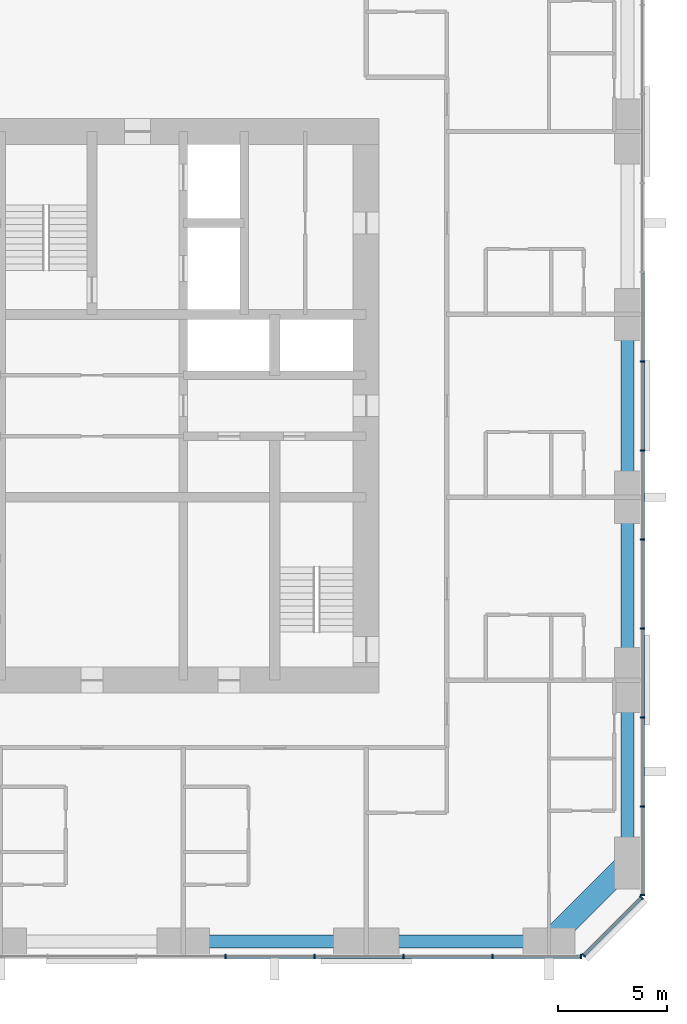
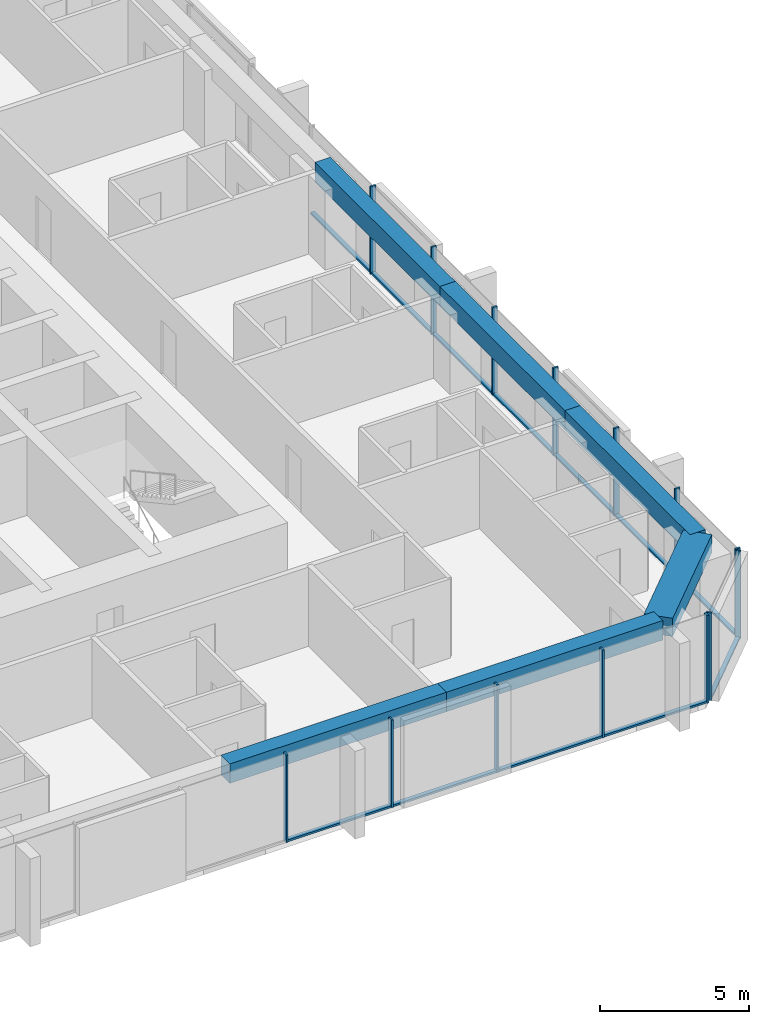
# One storey, part 4 of 13: 26 members, 6 beams, 3 elements without a shape of their own.
"""IFC4 building model written with IfcOpenShell, lengths in metres."""

from ifc_helpers import new_model, si_unit, direction, frame, origin, origin_2d, place, context, subcontext, project, spatial, rectangle, extrude, material, material_profile, profile_set, type_object, element, aggregate, save


model = new_model("IFC4")

# Units and contexts
model_context = context("Model", 3, precision=1e-05, world=origin(), true_north=direction((0.0, 1.0)))
body_context = subcontext(model_context, "Body", "Model", "MODEL_VIEW")
ifc_project = project(units=[si_unit("LENGTHUNIT", "METRE"), si_unit("AREAUNIT", "SQUARE_METRE"), si_unit("VOLUMEUNIT", "CUBIC_METRE"), si_unit("PLANEANGLEUNIT", "RADIAN"), si_unit("MASSUNIT", "GRAM", prefix="KILO")], contexts=[model_context])

# Site, building, storey
site_placement = place(None, origin())
site = spatial("IfcSite", under=ifc_project, at=site_placement, CompositionType="ELEMENT")
building_placement = place(site_placement, origin())
building = spatial("IfcBuilding", under=site, at=building_placement, Name="Dunama Terrace Hotel", CompositionType="ELEMENT")
storey_placement = place(building_placement, frame((0.0, 0.0, 162.60009765625)))
storey = spatial("IfcBuildingStorey", under=building, at=storey_placement, Name="L41", CompositionType="ELEMENT", Elevation=162.60009765625)

# Curtain wall, members
ifc_material_1 = material(Name="Aluminium curtain wall system", Category="aluminium")
curtain_wall_type = type_object("IfcCurtainWallType", Name="Unitised fritted glass wall CW-C", PredefinedType="NOTDEFINED", material=ifc_material_1)
curtain_wall_1_placement = place(storey_placement, origin())
curtain_wall_1 = element("IfcCurtainWall", 1, at=curtain_wall_1_placement, inside=storey, type_object=curtain_wall_type, Name="Unitised fritted glass wall CW-C L41", PredefinedType="NOTDEFINED")
ifc_material_2 = material(Name="Aluminium mullion", Category="aluminium")
ifc_material_profile_1 = material_profile(ifc_material_2, rectangle(XDim=0.070068359375, YDim=0.199951171875, at=origin_2d()), Name="CWC MULLION 70X200")
ifc_profile_set_1 = profile_set([ifc_material_profile_1], Name="Aluminium mullion")
member_type_1 = type_object("IfcMemberType", Name="CWC mullion 70x200", PredefinedType="MULLION", material=ifc_profile_set_1)
member_1_placement = place(storey_placement, frame((35.535888671875, 4.10009765625, 0.0), z_axis=(0.0, 0.0, 1.0), x_axis=(1.0, 0.0, 0.0)))
member_1 = element("IfcMember", 2, at=member_1_placement, type_object=member_type_1, Name="CWC mullion", PredefinedType="MULLION", context=body_context, shape_type="SweptSolid", body=[
    extrude(rectangle(XDim=0.070068359375, YDim=0.199951171875, at=origin_2d()), origin(), (0.0, 0.0, 1.0), 3.599853515625),
])
member_2_placement = place(storey_placement, frame((39.626953125, 4.10009765625, 0.0), z_axis=(0.0, 0.0, 1.0), x_axis=(1.0, 0.0, 0.0)))
member_2 = element("IfcMember", 3, at=member_2_placement, type_object=member_type_1, Name="CWC mullion", PredefinedType="MULLION", context=body_context, shape_type="SweptSolid", body=[
    extrude(rectangle(XDim=0.070068359375, YDim=0.199951171875, at=origin_2d()), origin(), (0.0, 0.0, 1.0), 3.599853515625),
])
member_3_placement = place(storey_placement, frame((43.718017578125, 4.10009765625, 0.0), z_axis=(0.0, 0.0, 1.0), x_axis=(1.0, 0.0, 0.0)))
member_3 = element("IfcMember", 4, at=member_3_placement, type_object=member_type_1, Name="CWC mullion", PredefinedType="MULLION", context=body_context, shape_type="SweptSolid", body=[
    extrude(rectangle(XDim=0.070068359375, YDim=0.199951171875, at=origin_2d()), origin(), (0.0, 0.0, 1.0), 3.599853515625),
])
member_4_placement = place(storey_placement, frame((47.80908203125, 4.10009765625, 0.0), z_axis=(0.0, 0.0, 1.0), x_axis=(1.0, 0.0, 0.0)))
member_4 = element("IfcMember", 5, at=member_4_placement, type_object=member_type_1, Name="CWC mullion", PredefinedType="MULLION", context=body_context, shape_type="SweptSolid", body=[
    extrude(rectangle(XDim=0.070068359375, YDim=0.199951171875, at=origin_2d()), origin(), (0.0, 0.0, 1.0), 3.599853515625),
])
member_5_placement = place(storey_placement, frame((51.864990234375, 4.10009765625, 0.0), z_axis=(0.0, 0.0, 1.0), x_axis=(1.0, 0.0, 0.0)))
member_5 = element("IfcMember", 6, at=member_5_placement, type_object=member_type_1, Name="CWC mullion", PredefinedType="MULLION", context=body_context, shape_type="SweptSolid", body=[
    extrude(rectangle(XDim=0.070068359375, YDim=0.199951171875, at=origin_2d()), origin(), (0.0, 0.0, 1.0), 3.599853515625),
])

curtain_wall_2_placement = place(storey_placement, origin())
curtain_wall_2 = element("IfcCurtainWall", 7, at=curtain_wall_2_placement, inside=storey, type_object=curtain_wall_type, Name="Unitised fritted glass wall CW-C L41", PredefinedType="NOTDEFINED")
member_6_placement = place(storey_placement, frame((51.9951171875, 4.154052734375, 0.0), z_axis=(0.0, 0.0, 1.0), x_axis=(0.707106781187, 0.707106781187, 0.0)))
member_6 = element("IfcMember", 8, at=member_6_placement, type_object=member_type_1, Name="CWC mullion", PredefinedType="MULLION", context=body_context, shape_type="SweptSolid", body=[
    extrude(rectangle(XDim=0.070068359375, YDim=0.199951171875, at=origin_2d()), origin(), (0.0, 0.0, 1.0), 3.599853515625),
])
member_7_placement = place(storey_placement, frame((54.64599609375, 6.804931640625, 0.0), z_axis=(0.0, 0.0, 1.0), x_axis=(0.707106781187, 0.707106781187, 0.0)))
member_7 = element("IfcMember", 9, at=member_7_placement, type_object=member_type_1, Name="CWC mullion", PredefinedType="MULLION", context=body_context, shape_type="SweptSolid", body=[
    extrude(rectangle(XDim=0.070068359375, YDim=0.199951171875, at=origin_2d()), origin(), (0.0, 0.0, 1.0), 3.599853515625),
])

curtain_wall_3_placement = place(storey_placement, origin())
curtain_wall_3 = element("IfcCurtainWall", 10, at=curtain_wall_3_placement, inside=storey, type_object=curtain_wall_type, Name="Unitised fritted glass wall CW-C L41", PredefinedType="NOTDEFINED")
member_8_placement = place(storey_placement, frame((54.699951171875, 6.93505859375, 0.0), z_axis=(0.0, 0.0, 1.0), x_axis=(0.0, 1.0, 0.0)))
member_8 = element("IfcMember", 11, at=member_8_placement, type_object=member_type_1, Name="CWC mullion", PredefinedType="MULLION", context=body_context, shape_type="SweptSolid", body=[
    extrude(rectangle(XDim=0.070068359375, YDim=0.199951171875, at=origin_2d()), origin(), (0.0, 0.0, 1.0), 3.599853515625),
])
member_9_placement = place(storey_placement, frame((54.699951171875, 10.990966796875, 0.0), z_axis=(0.0, 0.0, 1.0), x_axis=(0.0, 1.0, 0.0)))
member_9 = element("IfcMember", 12, at=member_9_placement, type_object=member_type_1, Name="CWC mullion", PredefinedType="MULLION", context=body_context, shape_type="SweptSolid", body=[
    extrude(rectangle(XDim=0.070068359375, YDim=0.199951171875, at=origin_2d()), origin(), (0.0, 0.0, 1.0), 3.599853515625),
])
member_10_placement = place(storey_placement, frame((54.699951171875, 15.08203125, 0.0), z_axis=(0.0, 0.0, 1.0), x_axis=(0.0, 1.0, 0.0)))
member_10 = element("IfcMember", 13, at=member_10_placement, type_object=member_type_1, Name="CWC mullion", PredefinedType="MULLION", context=body_context, shape_type="SweptSolid", body=[
    extrude(rectangle(XDim=0.070068359375, YDim=0.199951171875, at=origin_2d()), origin(), (0.0, 0.0, 1.0), 3.599853515625),
])
member_11_placement = place(storey_placement, frame((54.699951171875, 19.173095703125, 0.0), z_axis=(0.0, 0.0, 1.0), x_axis=(0.0, 1.0, 0.0)))
member_11 = element("IfcMember", 14, at=member_11_placement, type_object=member_type_1, Name="CWC mullion", PredefinedType="MULLION", context=body_context, shape_type="SweptSolid", body=[
    extrude(rectangle(XDim=0.070068359375, YDim=0.199951171875, at=origin_2d()), origin(), (0.0, 0.0, 1.0), 3.599853515625),
])
member_12_placement = place(storey_placement, frame((54.699951171875, 23.263916015625, 0.0), z_axis=(0.0, 0.0, 1.0), x_axis=(0.0, 1.0, 0.0)))
member_12 = element("IfcMember", 15, at=member_12_placement, type_object=member_type_1, Name="CWC mullion", PredefinedType="MULLION", context=body_context, shape_type="SweptSolid", body=[
    extrude(rectangle(XDim=0.070068359375, YDim=0.199951171875, at=origin_2d()), origin(), (0.0, 0.0, 1.0), 3.599853515625),
])
member_13_placement = place(storey_placement, frame((54.699951171875, 27.35498046875, 0.0), z_axis=(0.0, 0.0, 1.0), x_axis=(0.0, 1.0, 0.0)))
member_13 = element("IfcMember", 16, at=member_13_placement, type_object=member_type_1, Name="CWC mullion", PredefinedType="MULLION", context=body_context, shape_type="SweptSolid", body=[
    extrude(rectangle(XDim=0.070068359375, YDim=0.199951171875, at=origin_2d()), origin(), (0.0, 0.0, 1.0), 3.599853515625),
])
member_14_placement = place(storey_placement, frame((54.699951171875, 31.445068359375, 0.0), z_axis=(0.0, 0.0, 1.0), x_axis=(0.0, 1.0, 0.0)))
member_14 = element("IfcMember", 17, at=member_14_placement, type_object=member_type_1, Name="CWC mullion", PredefinedType="MULLION", context=body_context, shape_type="SweptSolid", body=[
    extrude(rectangle(XDim=0.070068359375, YDim=0.199951171875, at=origin_2d()), origin(), (0.0, 0.0, 1.0), 3.599853515625),
])

# Member
ifc_material_3 = material(Name="Aluminium transom", Category="aluminium")
ifc_material_profile_2 = material_profile(ifc_material_3, rectangle(XDim=0.159912109375, YDim=0.080078125, at=origin_2d()), Name="CWC TRANSOM 160X80")
ifc_profile_set_2 = profile_set([ifc_material_profile_2], Name="Aluminium transom")
member_type_2 = type_object("IfcMemberType", Name="CWC transom 160x80", PredefinedType="USERDEFINED", material=ifc_profile_set_2)
member_15_placement = place(storey_placement, frame((35.571044921875, 4.10009765625, 0.039794921875), z_axis=(1.0, 0.0, 0.0), x_axis=(0.0, 1.0, 0.0)))
member_15 = element("IfcMember", 18, at=member_15_placement, type_object=member_type_2, Name="CWC transom", ObjectType="TRANSOM", PredefinedType="USERDEFINED", context=body_context, shape_type="SweptSolid", body=[
    extrude(rectangle(XDim=0.159912109375, YDim=0.080078125, at=origin_2d()), origin(), (0.0, 0.0, 1.0), 4.02099609375),
])

member_16_placement = place(storey_placement, frame((39.662109375, 4.10009765625, 0.039794921875), z_axis=(1.0, 0.0, 0.0), x_axis=(0.0, 1.0, 0.0)))
member_16 = element("IfcMember", 19, at=member_16_placement, type_object=member_type_2, Name="CWC transom", ObjectType="TRANSOM", PredefinedType="USERDEFINED", context=body_context, shape_type="SweptSolid", body=[
    extrude(rectangle(XDim=0.159912109375, YDim=0.080078125, at=origin_2d()), origin(), (0.0, 0.0, 1.0), 4.02099609375),
])

member_17_placement = place(storey_placement, frame((43.7529296875, 4.10009765625, 0.039794921875), z_axis=(1.0, 0.0, 0.0), x_axis=(0.0, 1.0, 0.0)))
member_17 = element("IfcMember", 20, at=member_17_placement, type_object=member_type_2, Name="CWC transom", ObjectType="TRANSOM", PredefinedType="USERDEFINED", context=body_context, shape_type="SweptSolid", body=[
    extrude(rectangle(XDim=0.159912109375, YDim=0.080078125, at=origin_2d()), origin(), (0.0, 0.0, 1.0), 4.02099609375),
])

member_18_placement = place(storey_placement, frame((47.843994140625, 4.10009765625, 0.039794921875), z_axis=(1.0, 0.0, 0.0), x_axis=(0.0, 1.0, 0.0)))
member_18 = element("IfcMember", 21, at=member_18_placement, type_object=member_type_2, Name="CWC transom", ObjectType="TRANSOM", PredefinedType="USERDEFINED", context=body_context, shape_type="SweptSolid", body=[
    extrude(rectangle(XDim=0.159912109375, YDim=0.080078125, at=origin_2d()), origin(), (0.0, 0.0, 1.0), 3.986083984375),
])

aggregate(curtain_wall_1, [member_1, member_2, member_3, member_4, member_5, member_15, member_16, member_17, member_18])

member_19_placement = place(storey_placement, frame((52.02001953125, 4.178955078125, 0.039794921875), z_axis=(0.707106781187, 0.707106781187, 0.0), x_axis=(-0.707106781187, 0.707106781187, 0.0)))
member_19 = element("IfcMember", 22, at=member_19_placement, type_object=member_type_2, Name="CWC transom", ObjectType="TRANSOM", PredefinedType="USERDEFINED", context=body_context, shape_type="SweptSolid", body=[
    extrude(rectangle(XDim=0.159912109375, YDim=0.080078125, at=origin_2d()), origin(), (0.0, 0.0, 1.0), 3.678466796875),
])

aggregate(curtain_wall_2, [member_6, member_7, member_19])

member_20_placement = place(storey_placement, frame((54.699951171875, 6.969970703125, 0.039794921875), z_axis=(0.0, 1.0, 0.0), x_axis=(-1.0, 0.0, 0.0)))
member_20 = element("IfcMember", 23, at=member_20_placement, type_object=member_type_2, Name="CWC transom", ObjectType="TRANSOM", PredefinedType="USERDEFINED", context=body_context, shape_type="SweptSolid", body=[
    extrude(rectangle(XDim=0.159912109375, YDim=0.080078125, at=origin_2d()), origin(), (0.0, 0.0, 1.0), 3.986083984375),
])

member_21_placement = place(storey_placement, frame((54.699951171875, 11.02587890625, 0.039794921875), z_axis=(0.0, 1.0, 0.0), x_axis=(-1.0, 0.0, 0.0)))
member_21 = element("IfcMember", 24, at=member_21_placement, type_object=member_type_2, Name="CWC transom", ObjectType="TRANSOM", PredefinedType="USERDEFINED", context=body_context, shape_type="SweptSolid", body=[
    extrude(rectangle(XDim=0.159912109375, YDim=0.080078125, at=origin_2d()), origin(), (0.0, 0.0, 1.0), 4.021240234375),
])

member_22_placement = place(storey_placement, frame((54.699951171875, 15.116943359375, 0.039794921875), z_axis=(0.0, 1.0, 0.0), x_axis=(-1.0, 0.0, 0.0)))
member_22 = element("IfcMember", 25, at=member_22_placement, type_object=member_type_2, Name="CWC transom", ObjectType="TRANSOM", PredefinedType="USERDEFINED", context=body_context, shape_type="SweptSolid", body=[
    extrude(rectangle(XDim=0.159912109375, YDim=0.080078125, at=origin_2d()), origin(), (0.0, 0.0, 1.0), 4.02099609375),
])

member_23_placement = place(storey_placement, frame((54.699951171875, 19.2080078125, 0.039794921875), z_axis=(0.0, 1.0, 0.0), x_axis=(-1.0, 0.0, 0.0)))
member_23 = element("IfcMember", 26, at=member_23_placement, type_object=member_type_2, Name="CWC transom", ObjectType="TRANSOM", PredefinedType="USERDEFINED", context=body_context, shape_type="SweptSolid", body=[
    extrude(rectangle(XDim=0.159912109375, YDim=0.080078125, at=origin_2d()), origin(), (0.0, 0.0, 1.0), 4.02099609375),
])

member_24_placement = place(storey_placement, frame((54.699951171875, 23.299072265625, 0.039794921875), z_axis=(0.0, 1.0, 0.0), x_axis=(-1.0, 0.0, 0.0)))
member_24 = element("IfcMember", 27, at=member_24_placement, type_object=member_type_2, Name="CWC transom", ObjectType="TRANSOM", PredefinedType="USERDEFINED", context=body_context, shape_type="SweptSolid", body=[
    extrude(rectangle(XDim=0.159912109375, YDim=0.080078125, at=origin_2d()), origin(), (0.0, 0.0, 1.0), 4.02099609375),
])

member_25_placement = place(storey_placement, frame((54.699951171875, 27.389892578125, 0.039794921875), z_axis=(0.0, 1.0, 0.0), x_axis=(-1.0, 0.0, 0.0)))
member_25 = element("IfcMember", 28, at=member_25_placement, type_object=member_type_2, Name="CWC transom", ObjectType="TRANSOM", PredefinedType="USERDEFINED", context=body_context, shape_type="SweptSolid", body=[
    extrude(rectangle(XDim=0.159912109375, YDim=0.080078125, at=origin_2d()), origin(), (0.0, 0.0, 1.0), 4.02001953125),
])

member_26_placement = place(storey_placement, frame((54.699951171875, 31.47998046875, 0.039794921875), z_axis=(0.0, 1.0, 0.0), x_axis=(-1.0, 0.0, 0.0)))
member_26 = element("IfcMember", 29, at=member_26_placement, type_object=member_type_2, Name="CWC transom", ObjectType="TRANSOM", PredefinedType="USERDEFINED", context=body_context, shape_type="SweptSolid", body=[
    extrude(rectangle(XDim=0.159912109375, YDim=0.080078125, at=origin_2d()), origin(), (0.0, 0.0, 1.0), 4.02099609375),
])

aggregate(curtain_wall_3, [member_8, member_9, member_10, member_11, member_12, member_13, member_14, member_20, member_21, member_22, member_23, member_24, member_25, member_26])

# Beams
ifc_material_4 = material(Name="Concrete C50/60", Category="concrete")
ifc_material_profile_3 = material_profile(ifc_material_4, rectangle(XDim=1.0, YDim=0.75, at=origin_2d()), Name="RC 1000x750")
ifc_profile_set_3 = profile_set([ifc_material_profile_3], Name="Concrete C50/60")
beam_type_1 = type_object("IfcBeamType", Name="Edge beam RC 1000x750", PredefinedType="SPANDREL", material=ifc_profile_set_3)
beam_1_placement = place(storey_placement, frame((50.39990234375, 4.800048828125, 3.224853515625), z_axis=(0.707130757816, 0.707082803744, 0.0), x_axis=(-0.707082803744, 0.707130757816, 0.0)))
element("IfcBeam", 30, at=beam_1_placement, inside=storey, type_object=beam_type_1, Name="Corner edge beam under L42", PredefinedType="SPANDREL", context=body_context, shape_type="SweptSolid", body=[
    extrude(rectangle(XDim=1.0, YDim=0.75, at=origin_2d()), origin(), (0.0, 0.0, 1.0), 5.091064453125),
])
ifc_material_5 = material(Name="Concrete C40/50", Category="concrete")
ifc_material_profile_4 = material_profile(ifc_material_5, rectangle(XDim=0.60009765625, YDim=0.800048828125, at=origin_2d()), Name="RC 600x800")
ifc_profile_set_4 = profile_set([ifc_material_profile_4], Name="Concrete C40/50")
beam_type_2 = type_object("IfcBeamType", Name="Edge beam RC 600x800", PredefinedType="SPANDREL", material=ifc_profile_set_4)
beam_2_placement = place(storey_placement, frame((54.0, 8.39990234375, 3.199951171875), z_axis=(0.0, 1.0, 0.0), x_axis=(-1.0, 0.0, 0.0)))
element("IfcBeam", 31, at=beam_2_placement, inside=storey, type_object=beam_type_2, Name="Edge beam under L42", PredefinedType="SPANDREL", context=body_context, shape_type="SweptSolid", body=[
    extrude(rectangle(XDim=0.60009765625, YDim=0.800048828125, at=origin_2d()), origin(), (0.0, 0.0, 1.0), 8.400146484375),
])
beam_3_placement = place(storey_placement, frame((54.0, 16.800048828125, 3.199951171875), z_axis=(0.0, 1.0, 0.0), x_axis=(-1.0, 0.0, 0.0)))
element("IfcBeam", 32, at=beam_3_placement, inside=storey, type_object=beam_type_2, Name="Edge beam under L42", PredefinedType="SPANDREL", context=body_context, shape_type="SweptSolid", body=[
    extrude(rectangle(XDim=0.60009765625, YDim=0.800048828125, at=origin_2d()), origin(), (0.0, 0.0, 1.0), 8.39990234375),
])
beam_4_placement = place(storey_placement, frame((54.0, 25.199951171875, 3.199951171875), z_axis=(0.0, 1.0, 0.0), x_axis=(-1.0, 0.0, 0.0)))
element("IfcBeam", 33, at=beam_4_placement, inside=storey, type_object=beam_type_2, Name="Edge beam under L42", PredefinedType="SPANDREL", context=body_context, shape_type="SweptSolid", body=[
    extrude(rectangle(XDim=0.60009765625, YDim=0.800048828125, at=origin_2d()), origin(), (0.0, 0.0, 1.0), 8.400146484375),
])
for number, where, z_axis, x_axis, name in (
    (34, (33.60009765625, 4.800048828125, 3.199951171875), (1.0, 0.0, 0.0), (0.0, 1.0, 0.0), "Edge beam under L42"),
    (35, (42.0, 4.800048828125, 3.199951171875), (1.0, 0.0, 0.0), (0.0, 1.0, 0.0), "Edge beam under L42"),
):
    element("IfcBeam", number, at=place(storey_placement, frame(where, z_axis=z_axis, x_axis=x_axis)), inside=storey, type_object=beam_type_2, Name=name, PredefinedType="SPANDREL", context=body_context, shape_type="SweptSolid", body=[
        extrude(rectangle(XDim=0.60009765625, YDim=0.800048828125, at=origin_2d()), origin(), (0.0, 0.0, 1.0), 8.39990234375),
    ])

save(model, "model.ifc")
